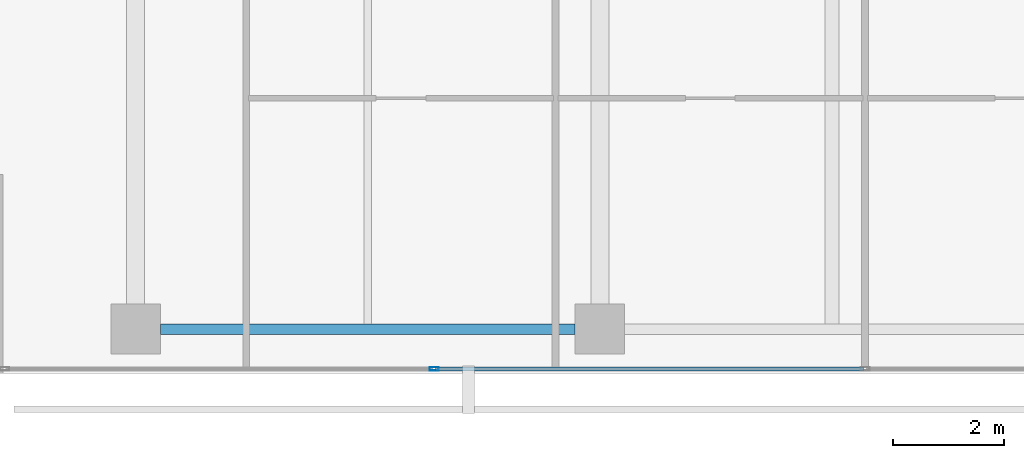
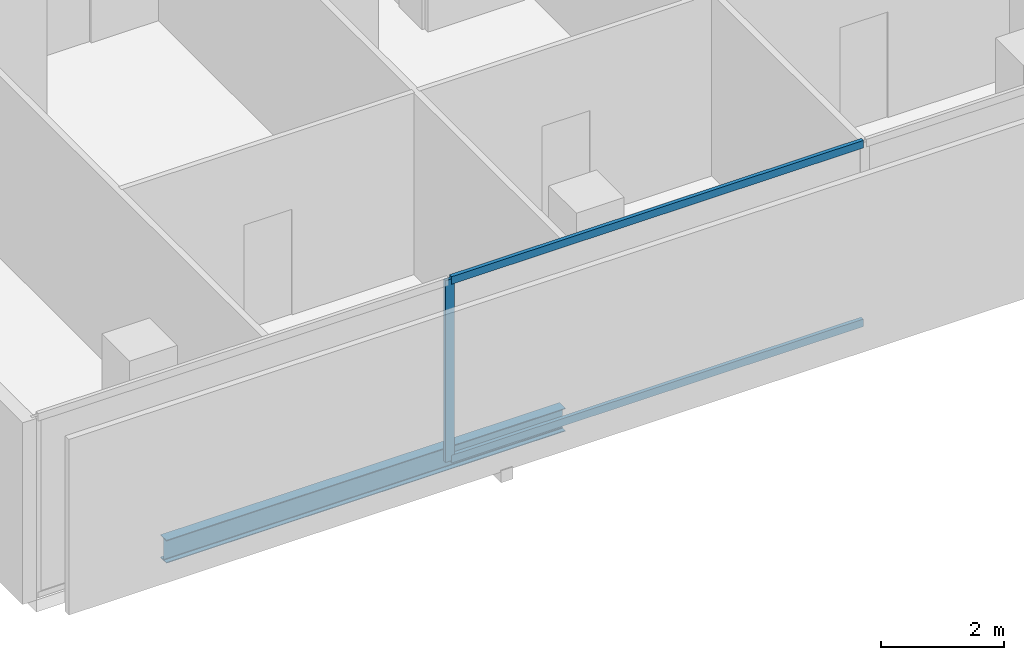
# One storey, part 3 of 40: 3 members, 1 beam, 1 element without a shape of its own.
"""IFC4 building model written with IfcOpenShell, lengths in metres."""

from ifc_helpers import new_model, si_unit, direction, frame, origin, origin_2d, place, context, subcontext, project, spatial, hollow_rectangle, i_section, extrude, material, layer, layer_set, material_profile, profile_set, type_object, element, aggregate, save


model = new_model("IFC4")

# Units and contexts
model_context = context("Model", 3, precision=1e-05, world=origin(), true_north=direction((0.0, 1.0)))
body_context = subcontext(model_context, "Body", "Model", "MODEL_VIEW")
ifc_project = project(units=[si_unit("LENGTHUNIT", "METRE"), si_unit("AREAUNIT", "SQUARE_METRE"), si_unit("VOLUMEUNIT", "CUBIC_METRE"), si_unit("PLANEANGLEUNIT", "RADIAN"), si_unit("MASSUNIT", "GRAM", prefix="KILO")], contexts=[model_context])

# Site, building, storey
site_placement = place(None, origin())
site = spatial("IfcSite", under=ifc_project, at=site_placement, CompositionType="ELEMENT")
building_placement = place(site_placement, origin())
building = spatial("IfcBuilding", under=site, at=building_placement, Name="Maruvema Waterfront Hotel and Observation Tower", CompositionType="ELEMENT")
storey_placement = place(building_placement, frame((0.0, 0.0, 57.75)))
storey = spatial("IfcBuildingStorey", under=building, at=storey_placement, Name="L13", CompositionType="ELEMENT", Elevation=57.75)

# Curtain wall, members
ifc_material_1 = material(Name="Anodised bronze aluminium and solar-control low-E IGU", Category="aluminium")
ifc_layer = layer(ifc_material_1, 0.159912109375, Name="Zone 1 Bronze Inner Thermal Curtain Wall System CW-02")
ifc_layer_set = layer_set([ifc_layer], Name="Anodised bronze aluminium and solar-control low-E IGU")
curtain_wall_type = type_object("IfcCurtainWallType", Name="Zone 1 Bronze Inner Thermal Curtain Wall System CW-02", PredefinedType="USERDEFINED", material=ifc_layer_set)
curtain_wall_placement = place(storey_placement, origin())
curtain_wall = element("IfcCurtainWall", 1, at=curtain_wall_placement, inside=storey, type_object=curtain_wall_type, Name="L13 Curtain Wall CW-L13-S", ObjectType="UNITISED CURTAIN WALL", PredefinedType="USERDEFINED")
ifc_material_2 = material(Name="Anodised architectural bronze aluminium", Category="aluminium")
ifc_material_profile_1 = material_profile(ifc_material_2, hollow_rectangle(XDim=0.070068359375, YDim=0.14990234375, WallThickness=0.00390625, at=origin_2d()), Name="ALU-T70x150")
ifc_profile_set_1 = profile_set([ifc_material_profile_1], Name="Anodised architectural bronze aluminium")
member_type_1 = type_object("IfcMemberType", Name="Curtain Wall Horizontal Transom ALU-T70x150", PredefinedType="USERDEFINED", material=ifc_profile_set_1)
member_1_placement = place(storey_placement, frame((22.22998046875, 0.080078125, 0.030029296875), z_axis=(1.0, 0.0, 0.0), x_axis=(0.0, 1.0, 0.0)))
member_1 = element("IfcMember", 2, at=member_1_placement, type_object=member_type_1, Name="CW-02 transom 2.1", ObjectType="TRANSOM", PredefinedType="USERDEFINED", context=body_context, shape_type="SweptSolid", body=[
    extrude(hollow_rectangle(XDim=0.070068359375, YDim=0.14990234375, WallThickness=0.00390625, at=origin_2d()), origin(), (0.0, 0.0, 1.0), 7.739990234375),
])
member_2_placement = place(storey_placement, frame((22.22998046875, 0.080078125, 3.580078125), z_axis=(1.0, 0.0, 0.0), x_axis=(0.0, 1.0, 0.0)))
member_2 = element("IfcMember", 3, at=member_2_placement, type_object=member_type_1, Name="CW-02 transom 2.2", ObjectType="TRANSOM", PredefinedType="USERDEFINED", context=body_context, shape_type="SweptSolid", body=[
    extrude(hollow_rectangle(XDim=0.070068359375, YDim=0.14990234375, WallThickness=0.00390625, at=origin_2d()), origin(), (0.0, 0.0, 1.0), 7.739990234375),
])
ifc_material_3 = material(Name="Anodised architectural bronze aluminium", Category="aluminium")
ifc_material_profile_2 = material_profile(ifc_material_3, hollow_rectangle(XDim=0.06494140625, YDim=0.1650390625, WallThickness=0.00390625, at=origin_2d()), Name="ALU-M65x165")
ifc_profile_set_2 = profile_set([ifc_material_profile_2], Name="Anodised architectural bronze aluminium")
member_type_2 = type_object("IfcMemberType", Name="Curtain Wall Primary Mullion ALU-M65x165", PredefinedType="MULLION", material=ifc_profile_set_2)
member_3_placement = place(storey_placement, frame((22.199951171875, 0.080078125, 0.0), z_axis=(0.0, 0.0, 1.0), x_axis=(0.0, 1.0, 0.0)))
member_3 = element("IfcMember", 4, at=member_3_placement, type_object=member_type_2, Name="CW-02 mullion 2", PredefinedType="MULLION", context=body_context, shape_type="SweptSolid", body=[
    extrude(hollow_rectangle(XDim=0.06494140625, YDim=0.1650390625, WallThickness=0.00390625, at=origin_2d()), origin(), (0.0, 0.0, 1.0), 3.610107421875),
])
aggregate(curtain_wall, [member_3, member_1, member_2])

# Beam
ifc_material_4 = material(Name="Steel ASTM A572 Grade 50", Category="steel")
ifc_material_profile_3 = material_profile(ifc_material_4, i_section(OverallWidth=0.18994140625, OverallDepth=0.45703125, WebThickness=0.009033203125, FlangeThickness=0.014404296875, FilletRadius=0.014892578125, at=origin_2d()), Name="W460x74.0")
ifc_profile_set_3 = profile_set([ifc_material_profile_3], Name="Steel ASTM A572 Grade 50")
beam_type = type_object("IfcBeamType", Name="Perimeter Spandrel Beam W460x74.0", PredefinedType="SPANDREL", material=ifc_profile_set_3)
beam_placement = place(storey_placement, frame((17.25, 0.800048828125, -0.468505859375), z_axis=(1.0, 0.0, 0.0), x_axis=(0.0, 1.0, 0.0)))
element("IfcBeam", 5, at=beam_placement, inside=storey, type_object=beam_type, Name="L13 Floor Girder EW-01", PredefinedType="SPANDREL", context=body_context, shape_type="SweptSolid", body=[
    extrude(i_section(OverallWidth=0.18994140625, OverallDepth=0.45703125, WebThickness=0.009033203125, FlangeThickness=0.014404296875, FilletRadius=0.014892578125, at=origin_2d()), origin(), (0.0, 0.0, 1.0), 7.5),
])

save(model, "model.ifc")
